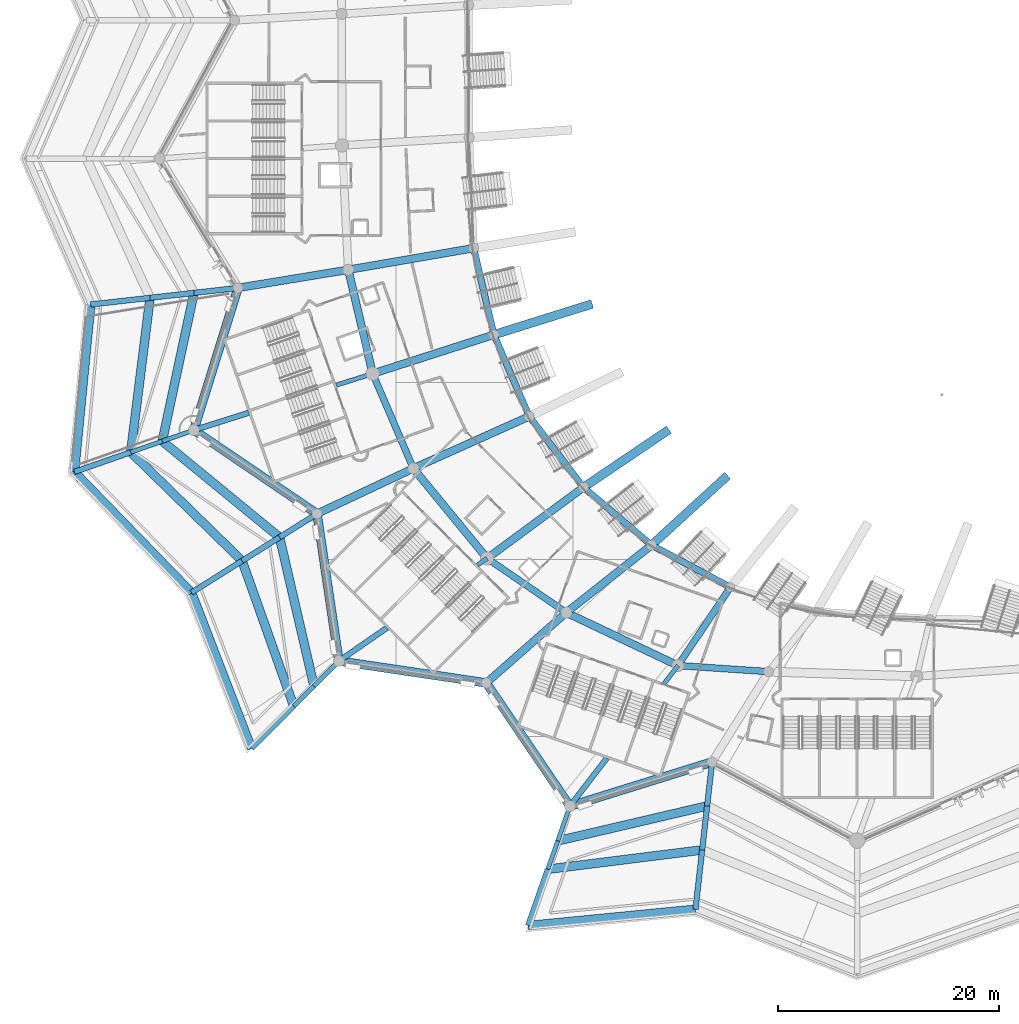
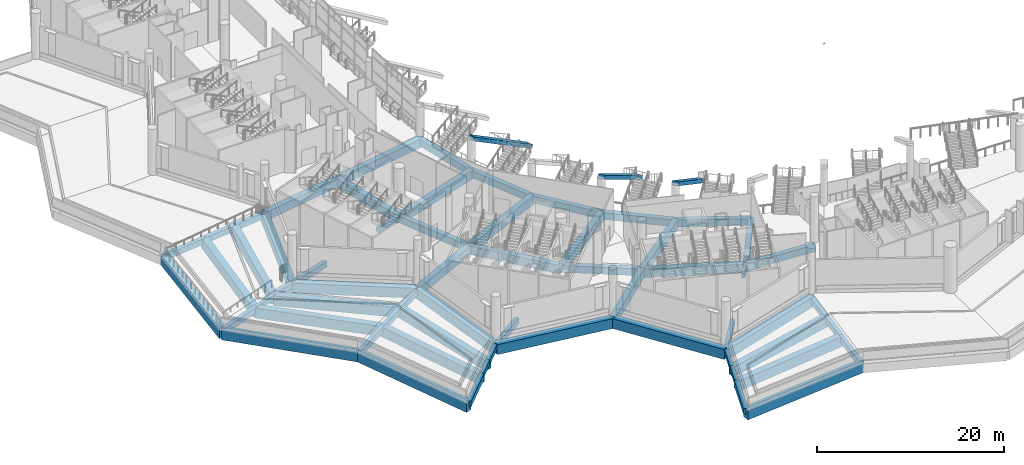
# One storey, part 3 of 173: 65 beams.
"""IFC4 building model written with IfcOpenShell, lengths in metres."""

from ifc_helpers import new_model, si_unit, direction, frame, origin, origin_2d, place, context, subcontext, project, spatial, rectangle, extrude, material, material_profile, profile_set, type_object, element, save


model = new_model("IFC4")

# Units and contexts
model_context = context("Model", 3, precision=1e-05, world=origin(), true_north=direction((0.0, 1.0)))
body_context = subcontext(model_context, "Body", "Model", "MODEL_VIEW")
ifc_project = project(units=[si_unit("LENGTHUNIT", "METRE"), si_unit("AREAUNIT", "SQUARE_METRE"), si_unit("VOLUMEUNIT", "CUBIC_METRE"), si_unit("PLANEANGLEUNIT", "RADIAN"), si_unit("MASSUNIT", "GRAM", prefix="KILO")], contexts=[model_context])

# Site, building, storey
site_placement = place(None, origin())
site = spatial("IfcSite", under=ifc_project, at=site_placement, CompositionType="ELEMENT")
building_placement = place(site_placement, origin())
building = spatial("IfcBuilding", under=site, at=building_placement, Name="Meseta Stadium", CompositionType="ELEMENT")
storey_placement = place(building_placement, frame((0.0, 0.0, 18.0)))
storey = spatial("IfcBuildingStorey", under=building, at=storey_placement, Name="L03", CompositionType="ELEMENT", Elevation=18.0)

# Beams
ifc_material_1 = material(Name="Concrete C40/50", Category="concrete")
ifc_material_profile_1 = material_profile(ifc_material_1, rectangle(XDim=0.39990234375, YDim=0.60009765625, at=origin_2d()), Name="RC 400x600")
ifc_profile_set_1 = profile_set([ifc_material_profile_1], Name="Concrete C40/50")
beam_type_1 = type_object("IfcBeamType", Name="RC beam 400x600", PredefinedType="BEAM", material=ifc_profile_set_1)
beam_1_placement = place(storey_placement, frame((-82.119873046875, -63.191162109375, -0.64990234375), z_axis=(-0.953578389502, -0.301144907105, 0.0), x_axis=(0.301144907105, -0.953578389502, 0.0)))
element("IfcBeam", 1, at=beam_1_placement, inside=storey, type_object=beam_type_1, Name="L03 radial beam frame 38 line P to R", PredefinedType="BEAM", context=body_context, shape_type="SweptSolid", body=[
    extrude(rectangle(XDim=0.39990234375, YDim=0.60009765625, at=origin_2d()), origin(), (0.0, 0.0, 1.0), 3.451904296875),
])
beam_2_placement = place(storey_placement, frame((-71.775390625, -79.888916015625, -0.64990234375), z_axis=(-0.821959126475, -0.569546481337, 0.0), x_axis=(0.569546481337, -0.821959126475, 0.0)))
element("IfcBeam", 2, at=beam_2_placement, inside=storey, type_object=beam_type_1, Name="L03 radial beam frame 40 line P to R", PredefinedType="BEAM", context=body_context, shape_type="SweptSolid", body=[
    extrude(rectangle(XDim=0.39990234375, YDim=0.60009765625, at=origin_2d()), origin(), (0.0, 0.0, 1.0), 1.05615234375),
])
beam_3_placement = place(storey_placement, frame((-54.523193359375, -89.579345703125, -0.64990234375), z_axis=(-0.60958282029, -0.792722388486, 0.0), x_axis=(0.792722388486, -0.60958282029, 0.0)))
element("IfcBeam", 3, at=beam_3_placement, inside=storey, type_object=beam_type_1, Name="L03 radial beam frame 42 line P to R", PredefinedType="BEAM", context=body_context, shape_type="SweptSolid", body=[
    extrude(rectangle(XDim=0.39990234375, YDim=0.60009765625, at=origin_2d()), origin(), (0.0, 0.0, 1.0), 2.029052734375),
])
beam_4_placement = place(storey_placement, frame((-98.291015625, -68.297607421875, -0.699951171875), z_axis=(-0.943904999317, -0.33021712897, 0.0), x_axis=(0.33021712897, -0.943904999317, 0.0)))
element("IfcBeam", 4, at=beam_4_placement, inside=storey, type_object=beam_type_1, Name="L03 radial beam frame 38 line R to M", PredefinedType="BEAM", context=body_context, shape_type="SweptSolid", body=[
    extrude(rectangle(XDim=0.39990234375, YDim=0.60009765625, at=origin_2d()), origin(), (0.0, 0.0, 1.0), 3.018798828125),
])
beam_5_placement = place(storey_placement, frame((-101.140380859375, -69.29443359375, -0.699951171875), z_axis=(-0.943888610281, -0.330263972274, 0.0), x_axis=(0.330263972274, -0.943888610281, 0.0)))
element("IfcBeam", 5, at=beam_5_placement, inside=storey, type_object=beam_type_1, Name="L03 radial beam frame 38 line M to Q", PredefinedType="BEAM", context=body_context, shape_type="SweptSolid", body=[
    extrude(rectangle(XDim=0.39990234375, YDim=0.60009765625, at=origin_2d()), origin(), (0.0, 0.0, 1.0), 3.01904296875),
])
beam_6_placement = place(storey_placement, frame((-85.173583984375, -89.173583984375, -0.699951171875), z_axis=(-0.707106781187, -0.707106781187, 0.0), x_axis=(0.707106781187, -0.707106781187, 0.0)))
element("IfcBeam", 6, at=beam_6_placement, inside=storey, type_object=beam_type_1, Name="L03 radial beam frame 40 line R to M", PredefinedType="BEAM", context=body_context, shape_type="SweptSolid", body=[
    extrude(rectangle(XDim=0.39990234375, YDim=0.60009765625, at=origin_2d()), origin(), (0.0, 0.0, 1.0), 3.18603515625),
])
beam_7_placement = place(storey_placement, frame((-87.426513671875, -91.426513671875, -0.699951171875), z_axis=(-0.707106781187, -0.707106781187, 0.0), x_axis=(0.707106781187, -0.707106781187, 0.0)))
element("IfcBeam", 7, at=beam_7_placement, inside=storey, type_object=beam_type_1, Name="L03 radial beam frame 40 line M to Q", PredefinedType="BEAM", context=body_context, shape_type="SweptSolid", body=[
    extrude(rectangle(XDim=0.39990234375, YDim=0.60009765625, at=origin_2d()), origin(), (0.0, 0.0, 1.0), 2.585693359375),
])
beam_8_placement = place(storey_placement, frame((-64.297607421875, -102.291015625, -0.699951171875), z_axis=(-0.330229180525, -0.943900783096, 0.0), x_axis=(0.943900783096, -0.330229180525, 0.0)))
element("IfcBeam", 8, at=beam_8_placement, inside=storey, type_object=beam_type_1, Name="L03 radial beam frame 42 line R to M", PredefinedType="BEAM", context=body_context, shape_type="SweptSolid", body=[
    extrude(rectangle(XDim=0.39990234375, YDim=0.60009765625, at=origin_2d()), origin(), (0.0, 0.0, 1.0), 3.31884765625),
])
beam_9_placement = place(storey_placement, frame((-65.3935546875, -105.423583984375, -0.699951171875), z_axis=(-0.33025443173, -0.943891948436, 0.0), x_axis=(0.943891948436, -0.33025443173, 0.0)))
element("IfcBeam", 9, at=beam_9_placement, inside=storey, type_object=beam_type_1, Name="L03 radial beam frame 42 line M to Q", PredefinedType="BEAM", context=body_context, shape_type="SweptSolid", body=[
    extrude(rectangle(XDim=0.39990234375, YDim=0.60009765625, at=origin_2d()), origin(), (0.0, 0.0, 1.0), 2.718994140625),
])
ifc_material_2 = material(Name="Concrete C40/50", Category="concrete")
ifc_material_profile_2 = material_profile(ifc_material_2, rectangle(XDim=0.5, YDim=0.75, at=origin_2d()), Name="RC 500x750")
ifc_profile_set_2 = profile_set([ifc_material_profile_2], Name="Concrete C40/50")
beam_type_2 = type_object("IfcBeamType", Name="RC beam 500x750", PredefinedType="BEAM", material=ifc_profile_set_2)
beam_10_placement = place(storey_placement, frame((-93.330078125, -66.73095703125, -0.72509765625), z_axis=(-0.953580537384, -0.301138105728, 0.0), x_axis=(0.301138105728, -0.953580537384, 0.0)))
element("IfcBeam", 10, at=beam_10_placement, inside=storey, type_object=beam_type_2, Name="L03 radial beam frame 38 line P to R", PredefinedType="BEAM", context=body_context, shape_type="SweptSolid", body=[
    extrude(rectangle(XDim=0.5, YDim=0.75, at=origin_2d()), origin(), (0.0, 0.0, 1.0), 5.202392578125),
])
beam_11_placement = place(storey_placement, frame((-80.830078125, -86.16357421875, -0.72509765625), z_axis=(-0.821929323184, -0.569589490503, 0.0), x_axis=(0.569589490503, -0.821929323184, 0.0)))
element("IfcBeam", 11, at=beam_11_placement, inside=storey, type_object=beam_type_2, Name="L03 radial beam frame 40 line P to R", PredefinedType="BEAM", context=body_context, shape_type="SweptSolid", body=[
    extrude(rectangle(XDim=0.5, YDim=0.75, at=origin_2d()), origin(), (0.0, 0.0, 1.0), 5.284423828125),
])
beam_12_placement = place(storey_placement, frame((-60.95947265625, -97.949951171875, -0.72509765625), z_axis=(-0.609579324643, -0.792725076536, 0.0), x_axis=(0.792725076536, -0.609579324643, 0.0)))
element("IfcBeam", 12, at=beam_12_placement, inside=storey, type_object=beam_type_2, Name="L03 radial beam frame 42 line P to R", PredefinedType="BEAM", context=body_context, shape_type="SweptSolid", body=[
    extrude(rectangle(XDim=0.5, YDim=0.75, at=origin_2d()), origin(), (0.0, 0.0, 1.0), 5.47607421875),
])
for number, where, z_axis, x_axis, name in (
    (13, (-94.29443359375, -55.44140625, -0.77490234375), (-0.993708325891, -0.111998942203, 0.0), (0.111998942203, -0.993708325891, 0.0), "L03 radial beam frame 37 line R to M"),
    (14, (-98.269287109375, -55.889404296875, -0.77490234375), (-0.993715116939, -0.111938672346, 0.0), (0.111938672346, -0.993715116939, 0.0), "L03 radial beam frame 37 line M to Q"),
):
    element("IfcBeam", number, at=place(storey_placement, frame(where, z_axis=z_axis, x_axis=x_axis)), inside=storey, type_object=beam_type_2, Name=name, PredefinedType="BEAM", context=body_context, shape_type="SweptSolid", body=[
        extrude(rectangle(XDim=0.5, YDim=0.75, at=origin_2d()), origin(), (0.0, 0.0, 1.0), 4.0),
    ])
for number, where, z_axis, x_axis, name in (
    (15, (-102.244140625, -56.337158203125, -0.77490234375), (-0.993709385305, -0.111989542172, 0.0), (0.111989542172, -0.993709385305, 0.0), "L03 radial beam frame 37 line Q to O"),
    (16, (-103.989990234375, -70.29150390625, -0.77490234375), (-0.943871747737, -0.330312161181, 0.0), (0.330312161181, -0.943871747737, 0.0), "L03 radial beam frame 38 line Q to O"),
):
    element("IfcBeam", number, at=place(storey_placement, frame(where, z_axis=z_axis, x_axis=x_axis)), inside=storey, type_object=beam_type_2, Name=name, PredefinedType="BEAM", context=body_context, shape_type="SweptSolid", body=[
        extrude(rectangle(XDim=0.5, YDim=0.75, at=origin_2d()), origin(), (0.0, 0.0, 1.0), 5.39990234375),
    ])
beam_13_placement = place(storey_placement, frame((-87.15087890625, -75.856689453125, -0.77490234375), z_axis=(-0.846706472046, -0.532060288122, 0.0), x_axis=(0.532060288122, -0.846706472046, 0.0)))
element("IfcBeam", 17, at=beam_13_placement, inside=storey, type_object=beam_type_2, Name="L03 radial beam frame 39 line R to M", PredefinedType="BEAM", context=body_context, shape_type="SweptSolid", body=[
    extrude(rectangle(XDim=0.5, YDim=0.75, at=origin_2d()), origin(), (0.0, 0.0, 1.0), 3.999755859375),
])
beam_14_placement = place(storey_placement, frame((-90.53759765625, -77.98486328125, -0.77490234375), z_axis=(-0.846723749582, -0.532032792122, 0.0), x_axis=(0.532032792122, -0.846723749582, 0.0)))
element("IfcBeam", 18, at=beam_14_placement, inside=storey, type_object=beam_type_2, Name="L03 radial beam frame 39 line M to Q", PredefinedType="BEAM", context=body_context, shape_type="SweptSolid", body=[
    extrude(rectangle(XDim=0.5, YDim=0.75, at=origin_2d()), origin(), (0.0, 0.0, 1.0), 4.0),
])
for number, where, z_axis, x_axis, name in (
    (19, (-93.924560546875, -80.113037109375, -0.77490234375), (-0.846715692546, -0.532045614582, 0.0), (0.532045614582, -0.846715692546, 0.0), "L03 radial beam frame 39 line Q to O"),
    (20, (-89.2548828125, -93.2548828125, -0.77490234375), (-0.707106781187, -0.707106781187, 0.0), (0.707106781187, -0.707106781187, 0.0), "L03 radial beam frame 40 line Q to O"),
    (21, (-66.29150390625, -107.989990234375, -0.77490234375), (-0.330312161181, -0.943871747737, 0.0), (0.943871747737, -0.330312161181, 0.0), "L03 radial beam frame 42 line Q to O"),
):
    element("IfcBeam", number, at=place(storey_placement, frame(where, z_axis=z_axis, x_axis=x_axis)), inside=storey, type_object=beam_type_2, Name=name, PredefinedType="BEAM", context=body_context, shape_type="SweptSolid", body=[
        extrude(rectangle(XDim=0.5, YDim=0.75, at=origin_2d()), origin(), (0.0, 0.0, 1.0), 5.39990234375),
    ])
for number, where, z_axis, x_axis, name in (
    (22, (-51.44140625, -98.29443359375, -0.77490234375), (-0.111998942203, -0.993708325891, 0.0), (0.993708325891, -0.111998942203, 0.0), "L03 radial beam frame 43 line R to M"),
    (23, (-51.889404296875, -102.269287109375, -0.77490234375), (-0.111938672346, -0.993715116939, 0.0), (0.993715116939, -0.111938672346, 0.0), "L03 radial beam frame 43 line M to Q"),
):
    element("IfcBeam", number, at=place(storey_placement, frame(where, z_axis=z_axis, x_axis=x_axis)), inside=storey, type_object=beam_type_2, Name=name, PredefinedType="BEAM", context=body_context, shape_type="SweptSolid", body=[
        extrude(rectangle(XDim=0.5, YDim=0.75, at=origin_2d()), origin(), (0.0, 0.0, 1.0), 4.0),
    ])
beam_15_placement = place(storey_placement, frame((-52.337158203125, -106.244140625, -0.77490234375), z_axis=(-0.111989542172, -0.993709385305, 0.0), x_axis=(0.993709385305, -0.111989542172, 0.0)))
element("IfcBeam", 24, at=beam_15_placement, inside=storey, type_object=beam_type_2, Name="L03 radial beam frame 43 line Q to O", PredefinedType="BEAM", context=body_context, shape_type="SweptSolid", body=[
    extrude(rectangle(XDim=0.5, YDim=0.75, at=origin_2d()), origin(), (0.0, 0.0, 1.0), 5.39990234375),
])
ifc_material_3 = material(Name="Concrete C40/50", Category="concrete")
ifc_material_profile_3 = material_profile(ifc_material_3, rectangle(XDim=0.60009765625, YDim=0.89990234375, at=origin_2d()), Name="RC 600x900")
ifc_profile_set_3 = profile_set([ifc_material_profile_3], Name="Concrete C40/50")
beam_type_3 = type_object("IfcBeamType", Name="RC beam 600x900", PredefinedType="BEAM", material=ifc_profile_set_3)
beam_16_placement = place(storey_placement, frame((-72.9921875, -51.84716796875, -0.800048828125), z_axis=(0.226697740265, -0.973965160855, 0.0), x_axis=(0.973965160855, 0.226697740265, 0.0)))
element("IfcBeam", 25, at=beam_16_placement, inside=storey, type_object=beam_type_3, Name="L03 ring beam frame 37 line E", PredefinedType="BEAM", context=body_context, shape_type="SweptSolid", body=[
    extrude(rectangle(XDim=0.60009765625, YDim=0.89990234375, at=origin_2d()), origin(), (0.0, 0.0, 1.0), 8.039306640625),
])
beam_17_placement = place(storey_placement, frame((-71.169677734375, -59.67724609375, -0.800048828125), z_axis=(0.397502661884, -0.91760102103, 0.0), x_axis=(0.91760102103, 0.397502661884, 0.0)))
element("IfcBeam", 26, at=beam_17_placement, inside=storey, type_object=beam_type_3, Name="L03 ring beam frame 38 line E", PredefinedType="BEAM", context=body_context, shape_type="SweptSolid", body=[
    extrude(rectangle(XDim=0.60009765625, YDim=0.89990234375, at=origin_2d()), origin(), (0.0, 0.0, 1.0), 8.04345703125),
])
beam_18_placement = place(storey_placement, frame((-82.119873046875, -63.191162109375, -0.800048828125), z_axis=(0.394270200779, -0.918994564063, 0.0), x_axis=(0.918994564063, 0.394270200779, 0.0)))
element("IfcBeam", 27, at=beam_18_placement, inside=storey, type_object=beam_type_3, Name="L03 ring beam frame 38 line P", PredefinedType="BEAM", context=body_context, shape_type="SweptSolid", body=[
    extrude(rectangle(XDim=0.60009765625, YDim=0.89990234375, at=origin_2d()), origin(), (0.0, 0.0, 1.0), 9.31982421875),
])
beam_19_placement = place(storey_placement, frame((-67.972412109375, -67.057861328125, -0.800048828125), z_axis=(0.607521948786, -0.794302890428, 0.0), x_axis=(0.794302890428, 0.607521948786, 0.0)))
element("IfcBeam", 28, at=beam_19_placement, inside=storey, type_object=beam_type_3, Name="L03 ring beam frame 39 line E", PredefinedType="BEAM", context=body_context, shape_type="SweptSolid", body=[
    extrude(rectangle(XDim=0.60009765625, YDim=0.89990234375, at=origin_2d()), origin(), (0.0, 0.0, 1.0), 8.072509765625),
])
beam_20_placement = place(storey_placement, frame((-63.068115234375, -73.469970703125, -0.800048828125), z_axis=(0.762201166724, -0.647340236231, 0.0), x_axis=(0.647340236231, 0.762201166724, 0.0)))
element("IfcBeam", 29, at=beam_20_placement, inside=storey, type_object=beam_type_3, Name="L03 ring beam frame 40 line E", PredefinedType="BEAM", context=body_context, shape_type="SweptSolid", body=[
    extrude(rectangle(XDim=0.60009765625, YDim=0.89990234375, at=origin_2d()), origin(), (0.0, 0.0, 1.0), 8.07275390625),
])
beam_21_placement = place(storey_placement, frame((-71.775390625, -79.888916015625, -0.800048828125), z_axis=(0.824813247637, -0.565405258662, 0.0), x_axis=(0.565405258662, 0.824813247637, 0.0)))
element("IfcBeam", 30, at=beam_21_placement, inside=storey, type_object=beam_type_3, Name="L03 ring beam frame 40 line P", PredefinedType="BEAM", context=body_context, shape_type="SweptSolid", body=[
    extrude(rectangle(XDim=0.60009765625, YDim=0.89990234375, at=origin_2d()), origin(), (0.0, 0.0, 1.0), 8.672607421875),
])
beam_22_placement = place(storey_placement, frame((-56.9150390625, -78.69580078125, -0.800048828125), z_axis=(0.882172948557, -0.47092556613, 0.0), x_axis=(0.47092556613, 0.882172948557, 0.0)))
element("IfcBeam", 31, at=beam_22_placement, inside=storey, type_object=beam_type_3, Name="L03 ring beam frame 41 line E", PredefinedType="BEAM", context=body_context, shape_type="SweptSolid", body=[
    extrude(rectangle(XDim=0.60009765625, YDim=0.89990234375, at=origin_2d()), origin(), (0.0, 0.0, 1.0), 8.075439453125),
])
beam_23_placement = place(storey_placement, frame((-54.523193359375, -89.579345703125, -0.800048828125), z_axis=(0.997778045289, -0.066625613231, 0.0), x_axis=(0.066625613231, 0.997778045289, 0.0)))
element("IfcBeam", 32, at=beam_23_placement, inside=storey, type_object=beam_type_3, Name="L03 ring beam frame 42 line P", PredefinedType="BEAM", context=body_context, shape_type="SweptSolid", body=[
    extrude(rectangle(XDim=0.60009765625, YDim=0.89990234375, at=origin_2d()), origin(), (0.0, 0.0, 1.0), 8.208251953125),
])
beam_24_placement = place(storey_placement, frame((-49.791015625, -82.498779296875, -0.800048828125), z_axis=(-0.555659080942, -0.831410239152, 0.0), x_axis=(0.831410239152, -0.555659080942, 0.0)))
element("IfcBeam", 33, at=beam_24_placement, inside=storey, type_object=beam_type_3, Name="L03 radial beam frame 42 line E to P", PredefinedType="BEAM", context=body_context, shape_type="SweptSolid", body=[
    extrude(rectangle(XDim=0.60009765625, YDim=0.89990234375, at=origin_2d()), origin(), (0.0, 0.0, 1.0), 8.516357421875),
])
ifc_material_4 = material(Name="Concrete C40/50", Category="concrete")
ifc_material_profile_4 = material_profile(ifc_material_4, rectangle(XDim=0.699951171875, YDim=1.10009765625, at=origin_2d()), Name="RC 700x1100")
ifc_profile_set_4 = profile_set([ifc_material_profile_4], Name="Concrete C40/50")
beam_type_4 = type_object("IfcBeamType", Name="RC beam 700x1100", PredefinedType="BEAM", material=ifc_profile_set_4)
beam_25_placement = place(storey_placement, frame((-84.3251953125, -53.801513671875, -0.89990234375), z_axis=(0.228645688533, -0.973509706739, 0.0), x_axis=(0.973509706739, 0.228645688533, 0.0)))
element("IfcBeam", 34, at=beam_25_placement, inside=storey, type_object=beam_type_4, Name="L03 ring beam frame 37 line P", PredefinedType="BEAM", context=body_context, shape_type="SweptSolid", body=[
    extrude(rectangle(XDim=0.699951171875, YDim=1.10009765625, at=origin_2d()), origin(), (0.0, 0.0, 1.0), 9.645263671875),
])
beam_26_placement = place(storey_placement, frame((-78.4453125, -71.756103515625, -0.89990234375), z_axis=(0.634137323649, -0.773220443829, 0.0), x_axis=(0.773220443829, 0.634137323649, 0.0)))
element("IfcBeam", 35, at=beam_26_placement, inside=storey, type_object=beam_type_4, Name="L03 ring beam frame 39 line P", PredefinedType="BEAM", context=body_context, shape_type="SweptSolid", body=[
    extrude(rectangle(XDim=0.699951171875, YDim=1.10009765625, at=origin_2d()), origin(), (0.0, 0.0, 1.0), 10.51806640625),
])
beam_27_placement = place(storey_placement, frame((-64.6220703125, -84.79248046875, -0.89990234375), z_axis=(0.903627495473, -0.428319214402, 0.0), x_axis=(0.428319214402, 0.903627495473, 0.0)))
element("IfcBeam", 36, at=beam_27_placement, inside=storey, type_object=beam_type_4, Name="L03 ring beam frame 41 line P", PredefinedType="BEAM", context=body_context, shape_type="SweptSolid", body=[
    extrude(rectangle(XDim=0.699951171875, YDim=1.10009765625, at=origin_2d()), origin(), (0.0, 0.0, 1.0), 11.176025390625),
])
beam_28_placement = place(storey_placement, frame((-72.9921875, -51.84716796875, -0.89990234375), z_axis=(-0.985454599583, -0.169938907145, 0.0), x_axis=(0.169938907145, -0.985454599583, 0.0)))
element("IfcBeam", 37, at=beam_28_placement, inside=storey, type_object=beam_type_4, Name="L03 radial beam frame 37 line E to P", PredefinedType="BEAM", context=body_context, shape_type="SweptSolid", body=[
    extrude(rectangle(XDim=0.699951171875, YDim=1.10009765625, at=origin_2d()), origin(), (0.0, 0.0, 1.0), 11.500244140625),
])
beam_29_placement = place(storey_placement, frame((-84.3251953125, -53.801513671875, -0.89990234375), z_axis=(-0.986739169318, -0.162313929576, 0.0), x_axis=(0.162313929576, -0.986739169318, 0.0)))
element("IfcBeam", 38, at=beam_29_placement, inside=storey, type_object=beam_type_4, Name="L03 radial beam frame 37 line P to R", PredefinedType="BEAM", context=body_context, shape_type="SweptSolid", body=[
    extrude(rectangle(XDim=0.699951171875, YDim=1.10009765625, at=origin_2d()), origin(), (0.0, 0.0, 1.0), 10.103271484375),
])
beam_30_placement = place(storey_placement, frame((-71.169677734375, -59.67724609375, -0.89990234375), z_axis=(-0.952175117954, -0.305552850992, 0.0), x_axis=(0.305552850992, -0.952175117954, 0.0)))
element("IfcBeam", 39, at=beam_30_placement, inside=storey, type_object=beam_type_4, Name="L03 radial beam frame 38 line E to P", PredefinedType="BEAM", context=body_context, shape_type="SweptSolid", body=[
    extrude(rectangle(XDim=0.699951171875, YDim=1.10009765625, at=origin_2d()), origin(), (0.0, 0.0, 1.0), 11.500244140625),
])
beam_31_placement = place(storey_placement, frame((-67.972412109375, -67.057861328125, -0.89990234375), z_axis=(-0.912395676752, -0.409309331734, 0.0), x_axis=(0.409309331734, -0.912395676752, 0.0)))
element("IfcBeam", 40, at=beam_31_placement, inside=storey, type_object=beam_type_4, Name="L03 radial beam frame 39 line E to P", PredefinedType="BEAM", context=body_context, shape_type="SweptSolid", body=[
    extrude(rectangle(XDim=0.699951171875, YDim=1.10009765625, at=origin_2d()), origin(), (0.0, 0.0, 1.0), 11.478515625),
])
beam_32_placement = place(storey_placement, frame((-78.4453125, -71.756103515625, -0.89990234375), z_axis=(-0.904664550747, -0.426124454382, 0.0), x_axis=(0.426124454382, -0.904664550747, 0.0)))
element("IfcBeam", 41, at=beam_32_placement, inside=storey, type_object=beam_type_4, Name="L03 radial beam frame 39 line P to R", PredefinedType="BEAM", context=body_context, shape_type="SweptSolid", body=[
    extrude(rectangle(XDim=0.699951171875, YDim=1.10009765625, at=origin_2d()), origin(), (0.0, 0.0, 1.0), 9.623046875),
])
beam_33_placement = place(storey_placement, frame((-63.068115234375, -73.469970703125, -0.89990234375), z_axis=(-0.804920808124, -0.593382248344, 0.0), x_axis=(0.593382248344, -0.804920808124, 0.0)))
element("IfcBeam", 42, at=beam_33_placement, inside=storey, type_object=beam_type_4, Name="L03 radial beam frame 40 line E to P", PredefinedType="BEAM", context=body_context, shape_type="SweptSolid", body=[
    extrude(rectangle(XDim=0.699951171875, YDim=1.10009765625, at=origin_2d()), origin(), (0.0, 0.0, 1.0), 10.817626953125),
])
beam_34_placement = place(storey_placement, frame((-56.9150390625, -78.69580078125, -0.89990234375), z_axis=(-0.784279521113, -0.620407634352, 0.0), x_axis=(0.620407634352, -0.784279521113, 0.0)))
element("IfcBeam", 43, at=beam_34_placement, inside=storey, type_object=beam_type_4, Name="L03 radial beam frame 41 line E to P", PredefinedType="BEAM", context=body_context, shape_type="SweptSolid", body=[
    extrude(rectangle(XDim=0.699951171875, YDim=1.10009765625, at=origin_2d()), origin(), (0.0, 0.0, 1.0), 9.826904296875),
])
beam_35_placement = place(storey_placement, frame((-64.6220703125, -84.79248046875, -0.89990234375), z_axis=(-0.751128714449, -0.66015578035, 0.0), x_axis=(0.66015578035, -0.751128714449, 0.0)))
element("IfcBeam", 44, at=beam_35_placement, inside=storey, type_object=beam_type_4, Name="L03 radial beam frame 41 line P to R", PredefinedType="BEAM", context=body_context, shape_type="SweptSolid", body=[
    extrude(rectangle(XDim=0.699951171875, YDim=1.10009765625, at=origin_2d()), origin(), (0.0, 0.0, 1.0), 9.631591796875),
])
ifc_material_5 = material(Name="Concrete C40/50", Category="concrete")
ifc_material_profile_5 = material_profile(ifc_material_5, rectangle(XDim=0.800048828125, YDim=1.300048828125, at=origin_2d()), Name="RC 800x1300")
ifc_profile_set_5 = profile_set([ifc_material_profile_5], Name="Concrete C40/50")
beam_type_5 = type_object("IfcBeamType", Name="RC beam 800x1300", PredefinedType="BEAM", material=ifc_profile_set_5)
beam_36_placement = place(storey_placement, frame((-94.29443359375, -55.44140625, -1.0), z_axis=(-0.296854913016, -0.954922594045, 0.0), x_axis=(0.954922594045, -0.296854913016, 0.0)))
element("IfcBeam", 45, at=beam_36_placement, inside=storey, type_object=beam_type_5, Name="L03 ring beam frame 37 line R", PredefinedType="BEAM", context=body_context, shape_type="SweptSolid", body=[
    extrude(rectangle(XDim=0.800048828125, YDim=1.300048828125, at=origin_2d()), origin(), (0.0, 0.0, 1.0), 13.463134765625),
])
beam_37_placement = place(storey_placement, frame((-98.291015625, -68.297607421875, -1.0), z_axis=(0.827486005705, -0.561486340317, 0.0), x_axis=(0.561486340317, 0.827486005705, 0.0)))
element("IfcBeam", 46, at=beam_37_placement, inside=storey, type_object=beam_type_5, Name="L03 ring beam frame 38 line R", PredefinedType="BEAM", context=body_context, shape_type="SweptSolid", body=[
    extrude(rectangle(XDim=0.800048828125, YDim=1.300048828125, at=origin_2d()), origin(), (0.0, 0.0, 1.0), 13.462646484375),
])
for number, where, z_axis, x_axis, name in (
    (47, (-87.15087890625, -75.856689453125, -1.0), (0.146870032835, -0.989155798373, 0.0), (0.989155798373, 0.146870032835, 0.0), "L03 ring beam frame 39 line R"),
    (48, (-85.173583984375, -89.173583984375, -1.0), (0.989155798373, -0.146870032835, 0.0), (0.146870032835, 0.989155798373, 0.0), "L03 ring beam frame 40 line R"),
):
    element("IfcBeam", number, at=place(storey_placement, frame(where, z_axis=z_axis, x_axis=x_axis)), inside=storey, type_object=beam_type_5, Name=name, PredefinedType="BEAM", context=body_context, shape_type="SweptSolid", body=[
        extrude(rectangle(XDim=0.800048828125, YDim=1.300048828125, at=origin_2d()), origin(), (0.0, 0.0, 1.0), 13.462890625),
    ])
beam_38_placement = place(storey_placement, frame((-71.856689453125, -91.15087890625, -1.0), z_axis=(0.561486340317, -0.827486005705, 0.0), x_axis=(0.827486005705, 0.561486340317, 0.0)))
element("IfcBeam", 49, at=beam_38_placement, inside=storey, type_object=beam_type_5, Name="L03 ring beam frame 41 line R", PredefinedType="BEAM", context=body_context, shape_type="SweptSolid", body=[
    extrude(rectangle(XDim=0.800048828125, YDim=1.300048828125, at=origin_2d()), origin(), (0.0, 0.0, 1.0), 13.462646484375),
])
beam_39_placement = place(storey_placement, frame((-64.297607421875, -102.291015625, -1.0), z_axis=(0.954922594045, 0.296854913016, 0.0), x_axis=(-0.296854913016, 0.954922594045, 0.0)))
element("IfcBeam", 50, at=beam_39_placement, inside=storey, type_object=beam_type_5, Name="L03 ring beam frame 42 line R", PredefinedType="BEAM", context=body_context, shape_type="SweptSolid", body=[
    extrude(rectangle(XDim=0.800048828125, YDim=1.300048828125, at=origin_2d()), origin(), (0.0, 0.0, 1.0), 13.463134765625),
])
beam_40_placement = place(storey_placement, frame((-98.269287109375, -55.889404296875, -1.050048828125), z_axis=(-0.209430575028, -0.977823518966, 0.0), x_axis=(0.977823518966, -0.209430575028, 0.0)))
element("IfcBeam", 51, at=beam_40_placement, inside=storey, type_object=beam_type_5, Name="L03 ring beam frame 37 line M", PredefinedType="BEAM", context=body_context, shape_type="SweptSolid", body=[
    extrude(rectangle(XDim=0.800048828125, YDim=1.300048828125, at=origin_2d()), origin(), (0.0, 0.0, 1.0), 13.708984375),
])
beam_41_placement = place(storey_placement, frame((-102.244140625, -56.337158203125, -1.050048828125), z_axis=(-0.124143703283, -0.99226424955, 0.0), x_axis=(0.99226424955, -0.124143703283, 0.0)))
element("IfcBeam", 52, at=beam_41_placement, inside=storey, type_object=beam_type_5, Name="L03 ring beam frame 37 line Q", PredefinedType="BEAM", context=body_context, shape_type="SweptSolid", body=[
    extrude(rectangle(XDim=0.800048828125, YDim=1.300048828125, at=origin_2d()), origin(), (0.0, 0.0, 1.0), 14.063232421875),
])
beam_42_placement = place(storey_placement, frame((-107.610107421875, -56.94189453125, -1.050048828125), z_axis=(-0.097125179524, -0.99527217358, 0.0), x_axis=(0.99527217358, -0.097125179524, 0.0)))
element("IfcBeam", 53, at=beam_42_placement, inside=storey, type_object=beam_type_5, Name="L03 ring beam frame 37 line O", PredefinedType="BEAM", context=body_context, shape_type="SweptSolid", body=[
    extrude(rectangle(XDim=0.800048828125, YDim=1.300048828125, at=origin_2d()), origin(), (0.0, 0.0, 1.0), 15.205078125),
])
beam_43_placement = place(storey_placement, frame((-101.140380859375, -69.29443359375, -1.050048828125), z_axis=(0.77340555921, -0.633911540345, 0.0), x_axis=(0.633911540345, 0.77340555921, 0.0)))
element("IfcBeam", 54, at=beam_43_placement, inside=storey, type_object=beam_type_5, Name="L03 ring beam frame 38 line M", PredefinedType="BEAM", context=body_context, shape_type="SweptSolid", body=[
    extrude(rectangle(XDim=0.800048828125, YDim=1.300048828125, at=origin_2d()), origin(), (0.0, 0.0, 1.0), 13.709228515625),
])
beam_44_placement = place(storey_placement, frame((-103.989990234375, -70.29150390625, -1.050048828125), z_axis=(0.715725013536, -0.698382205529, 0.0), x_axis=(0.698382205529, 0.715725013536, 0.0)))
element("IfcBeam", 55, at=beam_44_placement, inside=storey, type_object=beam_type_5, Name="L03 ring beam frame 38 line Q", PredefinedType="BEAM", context=body_context, shape_type="SweptSolid", body=[
    extrude(rectangle(XDim=0.800048828125, YDim=1.300048828125, at=origin_2d()), origin(), (0.0, 0.0, 1.0), 14.063232421875),
])
beam_45_placement = place(storey_placement, frame((-109.0869140625, -72.0751953125, -1.050048828125), z_axis=(0.696479024719, -0.717577151341, 0.0), x_axis=(0.717577151341, 0.696479024719, 0.0)))
element("IfcBeam", 56, at=beam_45_placement, inside=storey, type_object=beam_type_5, Name="L03 ring beam frame 38 line O", PredefinedType="BEAM", context=body_context, shape_type="SweptSolid", body=[
    extrude(rectangle(XDim=0.800048828125, YDim=1.300048828125, at=origin_2d()), origin(), (0.0, 0.0, 1.0), 15.205078125),
])
beam_46_placement = place(storey_placement, frame((-90.53759765625, -77.98486328125, -1.050048828125), z_axis=(0.225490125016, -0.974245453426, 0.0), x_axis=(0.974245453426, 0.225490125016, 0.0)))
element("IfcBeam", 57, at=beam_46_placement, inside=storey, type_object=beam_type_5, Name="L03 ring beam frame 39 line M", PredefinedType="BEAM", context=body_context, shape_type="SweptSolid", body=[
    extrude(rectangle(XDim=0.800048828125, YDim=1.300048828125, at=origin_2d()), origin(), (0.0, 0.0, 1.0), 13.796875),
])
beam_47_placement = place(storey_placement, frame((-93.924560546875, -80.113037109375, -1.050048828125), z_axis=(0.334820067045, -0.942282082343, 0.0), x_axis=(0.942282082343, 0.334820067045, 0.0)))
element("IfcBeam", 58, at=beam_47_placement, inside=storey, type_object=beam_type_5, Name="L03 ring beam frame 39 line Q", PredefinedType="BEAM", context=body_context, shape_type="SweptSolid", body=[
    extrude(rectangle(XDim=0.800048828125, YDim=1.300048828125, at=origin_2d()), origin(), (0.0, 0.0, 1.0), 13.94677734375),
])
beam_48_placement = place(storey_placement, frame((-98.496826171875, -82.986083984375, -1.050048828125), z_axis=(0.359293357588, -0.933224669195, 0.0), x_axis=(0.933224669195, 0.359293357588, 0.0)))
element("IfcBeam", 59, at=beam_48_placement, inside=storey, type_object=beam_type_5, Name="L03 ring beam frame 39 line O", PredefinedType="BEAM", context=body_context, shape_type="SweptSolid", body=[
    extrude(rectangle(XDim=0.800048828125, YDim=1.300048828125, at=origin_2d()), origin(), (0.0, 0.0, 1.0), 15.09521484375),
])
beam_49_placement = place(storey_placement, frame((-65.3935546875, -105.423583984375, -1.050048828125), z_axis=(0.973788071175, 0.227457232108, 0.0), x_axis=(-0.227457232108, 0.973788071175, 0.0)))
element("IfcBeam", 60, at=beam_49_placement, inside=storey, type_object=beam_type_5, Name="L03 ring beam frame 42 line M", PredefinedType="BEAM", context=body_context, shape_type="SweptSolid", body=[
    extrude(rectangle(XDim=0.800048828125, YDim=1.300048828125, at=origin_2d()), origin(), (0.0, 0.0, 1.0), 13.86767578125),
])
beam_50_placement = place(storey_placement, frame((-66.29150390625, -107.989990234375, -1.050048828125), z_axis=(0.99226424955, 0.124143703283, 0.0), x_axis=(-0.124143703283, 0.99226424955, 0.0)))
element("IfcBeam", 61, at=beam_50_placement, inside=storey, type_object=beam_type_5, Name="L03 ring beam frame 42 line Q", PredefinedType="BEAM", context=body_context, shape_type="SweptSolid", body=[
    extrude(rectangle(XDim=0.800048828125, YDim=1.300048828125, at=origin_2d()), origin(), (0.0, 0.0, 1.0), 14.063232421875),
])
beam_51_placement = place(storey_placement, frame((-68.0751953125, -113.0869140625, -1.050048828125), z_axis=(0.99527217358, 0.097125179524, 0.0), x_axis=(-0.097125179524, 0.99527217358, 0.0)))
element("IfcBeam", 62, at=beam_51_placement, inside=storey, type_object=beam_type_5, Name="L03 ring beam frame 42 line O", PredefinedType="BEAM", context=body_context, shape_type="SweptSolid", body=[
    extrude(rectangle(XDim=0.800048828125, YDim=1.300048828125, at=origin_2d()), origin(), (0.0, 0.0, 1.0), 15.205078125),
])
ifc_material_6 = material(Name="Concrete C40/50", Category="concrete")
ifc_material_profile_6 = material_profile(ifc_material_6, rectangle(XDim=0.800048828125, YDim=0.449951171875, at=origin_2d()), Name="RC 800x450")
ifc_profile_set_6 = profile_set([ifc_material_profile_6], Name="Concrete C40/50")
beam_type_6 = type_object("IfcBeamType", Name="RC raker upper rear 800x450", PredefinedType="USERDEFINED", material=ifc_profile_set_6)
beam_52_placement = place(storey_placement, frame((-62.39111328125, -56.9248046875, -2.052978515625), z_axis=(-0.809744587488, -0.253888268747, 0.529012712537), x_axis=(0.299179955662, -0.954196706204, 0.0)))
element("IfcBeam", 63, at=beam_52_placement, inside=storey, type_object=beam_type_6, Name="Raker upper rear frame 38 upper tier", ObjectType="RAKER", PredefinedType="USERDEFINED", context=body_context, shape_type="SweptSolid", body=[
    extrude(rectangle(XDim=0.800048828125, YDim=0.449951171875, at=origin_2d()), origin(), (0.0, 0.0, 1.0), 10.841064453125),
])
beam_53_placement = place(storey_placement, frame((-55.443115234375, -68.322509765625, -1.62890625), z_axis=(-0.703353322068, -0.474817541063, 0.529001329898), x_axis=(0.559516608619, -0.828819138702, 0.0)))
element("IfcBeam", 64, at=beam_53_placement, inside=storey, type_object=beam_type_6, Name="Raker upper rear frame 40 upper tier", ObjectType="RAKER", PredefinedType="USERDEFINED", context=body_context, shape_type="SweptSolid", body=[
    extrude(rectangle(XDim=0.800048828125, YDim=0.449951171875, at=origin_2d()), origin(), (0.0, 0.0, 1.0), 10.8408203125),
])
beam_54_placement = place(storey_placement, frame((-50.12890625, -72.483642578125, -1.469482421875), z_axis=(-0.625966379814, -0.573021820923, 0.528972668566), x_axis=(0.675224583095, -0.737612203251, 0.0)))
element("IfcBeam", 65, at=beam_54_placement, inside=storey, type_object=beam_type_6, Name="Raker upper rear frame 41 upper tier", ObjectType="RAKER", PredefinedType="USERDEFINED", context=body_context, shape_type="SweptSolid", body=[
    extrude(rectangle(XDim=0.800048828125, YDim=0.449951171875, at=origin_2d()), origin(), (0.0, 0.0, 1.0), 10.841064453125),
])

save(model, "model.ifc")
